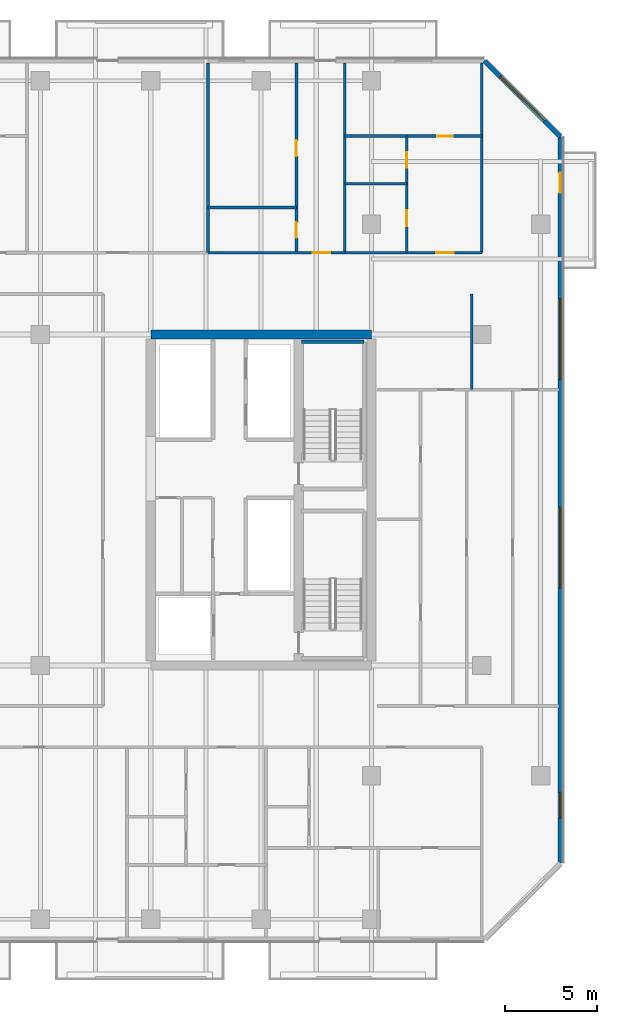
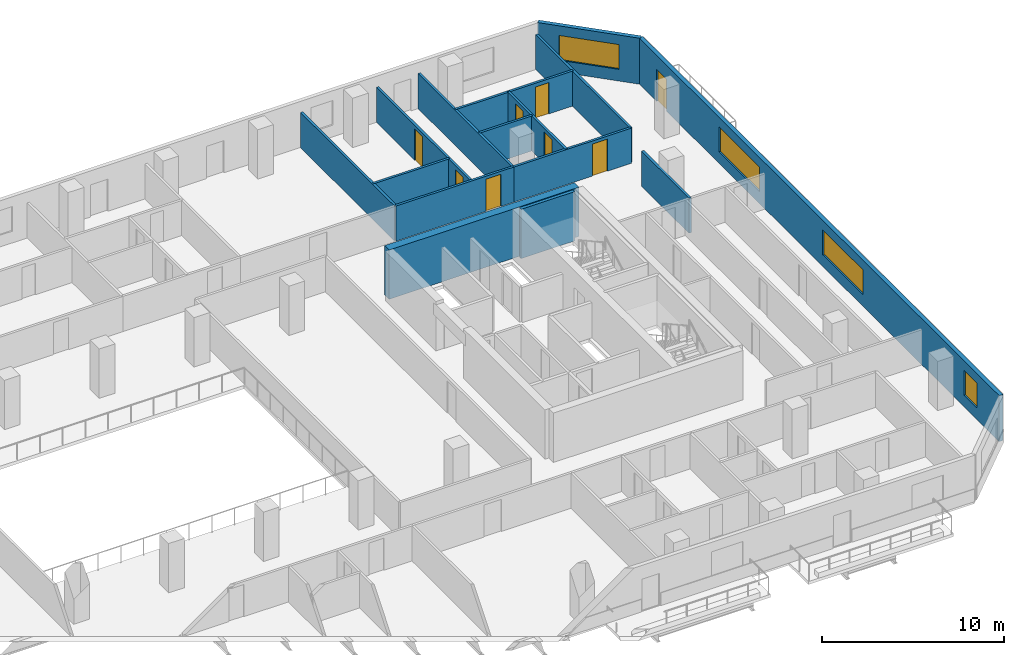
# One storey, part 16 of 23: 15 walls, 8 doors, 4 windows, 12 openings.
"""IFC4 building model written with IfcOpenShell, lengths in metres."""

from ifc_helpers import new_model, si_unit, direction, frame, frame_2d, origin, place, context, subcontext, project, spatial, rectangle, extrude, material, layer, layer_set, type_object, element, fill, save


model = new_model("IFC4")

# Units and contexts
model_context = context("Model", 3, precision=1e-05, world=origin(), true_north=direction((0.0, 1.0)))
body_context = subcontext(model_context, "Body", "Model", "MODEL_VIEW")
ifc_project = project(units=[si_unit("LENGTHUNIT", "METRE"), si_unit("AREAUNIT", "SQUARE_METRE"), si_unit("VOLUMEUNIT", "CUBIC_METRE"), si_unit("PLANEANGLEUNIT", "RADIAN"), si_unit("MASSUNIT", "GRAM", prefix="KILO")], contexts=[model_context])

# Site, building, storey
site_placement = place(None, origin())
site = spatial("IfcSite", under=ifc_project, at=site_placement, CompositionType="ELEMENT")
building_placement = place(site_placement, origin())
building = spatial("IfcBuilding", under=site, at=building_placement, Name="Tanjung Sevakor Pilgrim Tower", CompositionType="ELEMENT")
storey_placement = place(building_placement, frame((0.0, 0.0, 82.169921875)))
storey = spatial("IfcBuildingStorey", under=building, at=storey_placement, Name="L22", CompositionType="ELEMENT", Elevation=82.169921875)

# Walls
ifc_material_1 = material(Name="Concrete C60/75", Category="concrete")
ifc_layer_1 = layer(ifc_material_1, 0.5)
ifc_layer_set_1 = layer_set([ifc_layer_1], Name="WALL-CW-500")
wall_type_1 = type_object("IfcWallType", Name="WALL-CW-500", PredefinedType="SHEAR", material=ifc_layer_set_1)
wall_1_placement = place(storey_placement, frame((90.0, 42.60009765625, 0.0), z_axis=(0.0, 0.0, 1.0), x_axis=(-1.0, 0.0, 0.0)))
element("IfcWall", 1, at=wall_1_placement, inside=storey, type_object=wall_type_1, Name="L22 E Core North Shear Wall", PredefinedType="SHEAR", context=body_context, shape_type="SweptSolid", body=[
    extrude(rectangle(XDim=12.0, YDim=0.5, at=frame_2d((6.0, 0.0))), origin(), (0.0, 0.0, 1.0), 3.300048828125),
])
ifc_material_2 = material(Name="Concrete C40/50", Category="concrete")
ifc_layer_2 = layer(ifc_material_2, 0.14990234375)
ifc_layer_set_2 = layer_set([ifc_layer_2], Name="WT-COMP-150")
wall_type_2 = type_object("IfcWallType", Name="WT-COMP-150", PredefinedType="SOLIDWALL", material=ifc_layer_set_2)
for number, where, z_axis, x_axis, name in (
    (2, (96.0, 47.050048828125, 0.0), (0.0, 0.0, 1.0), (0.0, 1.0, 0.0), "L22 Partition IW-L22-090"),
    (3, (81.107421875, 47.050048828125, 0.0), (0.0, 0.0, 1.0), (0.0, 1.0, 0.0), "L22 Partition IW-L22-102"),
    (4, (88.5537109375, 47.050048828125, 0.0), (0.0, 0.0, 1.0), (0.0, 1.0, 0.0), "L22 Partition IW-L22-104"),
):
    element("IfcWall", number, at=place(storey_placement, frame(where, z_axis=z_axis, x_axis=x_axis)), inside=storey, type_object=wall_type_2, Name=name, PredefinedType="SOLIDWALL", context=body_context, shape_type="SweptSolid", body=[
        extrude(rectangle(XDim=10.300048828125, YDim=0.14990234375, at=frame_2d((5.14990234375, 0.0))), origin(), (0.0, 0.0, 1.0), 2.35009765625),
    ])

# Wall, opening, door
wall_2_placement = place(storey_placement, frame((81.107421875, 47.050048828125, 0.0), z_axis=(0.0, 0.0, 1.0), x_axis=(1.0, 0.0, 0.0)))
wall_2 = element("IfcWall", 5, at=wall_2_placement, inside=storey, type_object=wall_type_2, Name="L22 Partition IW-L22-107", PredefinedType="SOLIDWALL", context=body_context, shape_type="SweptSolid", body=[
    extrude(rectangle(XDim=7.4462890625, YDim=0.14990234375, at=frame_2d((3.72314453125, 0.0))), origin(), (0.0, 0.0, 1.0), 2.35009765625),
])
opening_1_placement = place(wall_2_placement, frame((5.6943359375, 0.0, 0.0)))
opening_1 = element("IfcOpeningElement", 6, at=opening_1_placement, cuts=wall_2, Name="Opening ID-FD2", PredefinedType="OPENING", context=body_context, shape_type="SweptSolid", body=[
    extrude(rectangle(XDim=0.949951171875, YDim=2.14990234375, at=frame_2d((0.47509765625, 1.074951171875))), frame((0.0, 0.0849609375, 0.0), z_axis=(0.0, -1.0, 0.0), x_axis=(1.0, 0.0, 0.0)), (0.0, 0.0, 1.0), 0.169921875),
])
ifc_material_3 = material(Name="Fire-Rated Timber", Category="wood")
door_type_1 = type_object("IfcDoorType", Name="DT-FIRE-950", OperationType="NOTDEFINED", PredefinedType="DOOR", material=ifc_material_3)
door_1_placement = place(opening_1_placement, origin())
door_1 = element("IfcDoor", 7, at=door_1_placement, inside=storey, type_object=door_type_1, Name="Hostel Quad Entrance", OperationType="SINGLE_SWING_RIGHT", OverallHeight=2.14990234375, OverallWidth=0.949951171875, PredefinedType="DOOR", context=body_context, shape_type="SweptSolid", body=[
    extrude(rectangle(XDim=0.949951171875, YDim=2.14990234375, at=frame_2d((0.47509765625, 1.074951171875))), frame((0.0, 0.02490234375, 0.0), z_axis=(0.0, -1.0, 0.0), x_axis=(1.0, 0.0, 0.0)), (0.0, 0.0, 1.0), 0.050048828125),
])
fill(opening_1, door_1)

wall_3_placement = place(storey_placement, frame((88.5537109375, 47.050048828125, 0.0), z_axis=(0.0, 0.0, 1.0), x_axis=(1.0, 0.0, 0.0)))
wall_3 = element("IfcWall", 8, at=wall_3_placement, inside=storey, type_object=wall_type_2, Name="L22 Partition IW-L22-111", PredefinedType="SOLIDWALL", context=body_context, shape_type="SweptSolid", body=[
    extrude(rectangle(XDim=7.4462890625, YDim=0.14990234375, at=frame_2d((3.72314453125, 0.0))), origin(), (0.0, 0.0, 1.0), 2.35009765625),
])
opening_2_placement = place(wall_3_placement, frame((4.97119140625, 0.0, 0.0)))
opening_2 = element("IfcOpeningElement", 9, at=opening_2_placement, cuts=wall_3, Name="Opening ID-FD2", PredefinedType="OPENING", context=body_context, shape_type="SweptSolid", body=[
    extrude(rectangle(XDim=0.949951171875, YDim=2.14990234375, at=frame_2d((0.47509765625, 1.074951171875))), frame((0.0, 0.0849609375, 0.0), z_axis=(0.0, -1.0, 0.0), x_axis=(1.0, 0.0, 0.0)), (0.0, 0.0, 1.0), 0.169921875),
])
door_2_placement = place(opening_2_placement, origin())
door_2 = element("IfcDoor", 10, at=door_2_placement, inside=storey, type_object=door_type_1, Name="Residence Entrance", OperationType="SINGLE_SWING_RIGHT", OverallHeight=2.14990234375, OverallWidth=0.949951171875, PredefinedType="DOOR", context=body_context, shape_type="SweptSolid", body=[
    extrude(rectangle(XDim=0.949951171875, YDim=2.14990234375, at=frame_2d((0.47509765625, 1.074951171875))), frame((0.0, 0.02490234375, 0.0), z_axis=(0.0, -1.0, 0.0), x_axis=(1.0, 0.0, 0.0)), (0.0, 0.0, 1.0), 0.050048828125),
])
fill(opening_2, door_2)

# Wall, openings, door, windows
ifc_material_4 = material(Name="Precast concrete C45/55", Category="concrete")
ifc_layer_3 = layer(ifc_material_4, 0.25)
ifc_layer_set_3 = layer_set([ifc_layer_3], Name="WT-EW-STN3")
wall_type_3 = type_object("IfcWallType", Name="WT-EW-STN3", PredefinedType="SOLIDWALL", material=ifc_layer_set_3)
wall_4_placement = place(storey_placement, frame((100.27490234375, 13.851806640625, 0.0), z_axis=(0.0, 0.0, 1.0), x_axis=(0.0, 1.0, 0.0)))
wall_4 = element("IfcWall", 11, at=wall_4_placement, inside=storey, type_object=wall_type_3, Name="L22 MAIN Exterior Wall 7", PredefinedType="SOLIDWALL", context=body_context, shape_type="SweptSolid", body=[
    extrude(rectangle(XDim=39.496337890625, YDim=0.25, at=frame_2d((19.748046875, 0.0))), origin(), (0.0, 0.0, 1.0), 3.080078125),
])
opening_3_placement = place(wall_4_placement, frame((36.4482421875, 0.0, 0.0)))
opening_3 = element("IfcOpeningElement", 12, at=opening_3_placement, cuts=wall_4, Name="Opening ED-BAL-1100", PredefinedType="OPENING", context=body_context, shape_type="SweptSolid", body=[
    extrude(rectangle(XDim=1.10009765625, YDim=2.14990234375, at=frame_2d((0.550048828125, 1.074951171875))), frame((0.0, 0.135009765625, 0.0), z_axis=(0.0, -1.0, 0.0), x_axis=(1.0, 0.0, 0.0)), (0.0, 0.0, 1.0), 0.27001953125),
])
opening_4_placement = place(wall_4_placement, frame((14.958251953125, 0.0, 0.780029296875)))
opening_4 = element("IfcOpeningElement", 13, at=opening_4_placement, cuts=wall_4, Name="Opening WN-ENDW-1660", PredefinedType="OPENING", context=body_context, shape_type="SweptSolid", body=[
    extrude(rectangle(XDim=4.39990234375, YDim=1.659912109375, at=frame_2d((2.199951171875, 0.830078125))), frame((0.0, 0.135009765625, 0.0), z_axis=(0.0, -1.0, 0.0), x_axis=(1.0, 0.0, 0.0)), (0.0, 0.0, 1.0), 0.27001953125),
])
opening_5_placement = place(wall_4_placement, frame((26.298095703125, 0.0, 0.780029296875)))
opening_5 = element("IfcOpeningElement", 14, at=opening_5_placement, cuts=wall_4, Name="Opening WN-ENDW-1660", PredefinedType="OPENING", context=body_context, shape_type="SweptSolid", body=[
    extrude(rectangle(XDim=4.39990234375, YDim=1.659912109375, at=frame_2d((2.199951171875, 0.830078125))), frame((0.0, 0.135009765625, 0.0), z_axis=(0.0, -1.0, 0.0), x_axis=(1.0, 0.0, 0.0)), (0.0, 0.0, 1.0), 0.27001953125),
])
opening_6_placement = place(wall_4_placement, frame((2.4541015625, 0.0, 0.780029296875)))
opening_6 = element("IfcOpeningElement", 15, at=opening_6_placement, cuts=wall_4, Name="Opening WN-END", PredefinedType="OPENING", context=body_context, shape_type="SweptSolid", body=[
    extrude(rectangle(XDim=1.39990234375, YDim=1.64990234375, at=frame_2d((0.699951171875, 0.824951171875))), frame((0.0, 0.135009765625, 0.0), z_axis=(0.0, -1.0, 0.0), x_axis=(1.0, 0.0, 0.0)), (0.0, 0.0, 1.0), 0.27001953125),
])
ifc_material_5 = material(Name="Anodised Aluminium and Laminated Glass", Category="aluminium")
door_type_2 = type_object("IfcDoorType", Name="DTYP-ED-BAL-1100", OperationType="NOTDEFINED", PredefinedType="DOOR", material=ifc_material_5)
door_3_placement = place(opening_3_placement, frame((1.10009765625, 0.0, 0.0), z_axis=(0.0, 0.0, 1.0), x_axis=(-1.0, 0.0, 0.0)))
door_3 = element("IfcDoor", 16, at=door_3_placement, inside=storey, type_object=door_type_2, Name="L22 East Loggia Door MAIN-E1", OperationType="SINGLE_SWING_RIGHT", OverallHeight=2.14990234375, OverallWidth=1.10009765625, PredefinedType="DOOR", context=body_context, shape_type="SweptSolid", body=[
    extrude(rectangle(XDim=1.10009765625, YDim=2.14990234375, at=frame_2d((0.550048828125, 1.074951171875))), frame((0.0, 0.02490234375, 0.0), z_axis=(0.0, -1.0, 0.0), x_axis=(1.0, 0.0, 0.0)), (0.0, 0.0, 1.0), 0.050048828125),
])
fill(opening_3, door_3)
ifc_material_6 = material(Name="Thermally Broken Aluminium and Low-E Glass", Category="aluminium")
window_type_1 = type_object("IfcWindowType", Name="WTYP-WN-END", PartitioningType="SINGLE_PANEL", PredefinedType="WINDOW", material=ifc_material_6)
window_1_placement = place(opening_6_placement, origin())
window_1 = element("IfcWindow", 17, at=window_1_placement, inside=storey, type_object=window_type_1, Name="L22 Facade Window 03", OverallHeight=1.64990234375, OverallWidth=1.39990234375, PartitioningType="SINGLE_PANEL", PredefinedType="WINDOW", context=body_context, shape_type="SweptSolid", body=[
    extrude(rectangle(XDim=1.39990234375, YDim=1.64990234375, at=frame_2d((0.699951171875, 0.824951171875))), frame((0.0, 0.030029296875, 0.0), z_axis=(0.0, -1.0, 0.0), x_axis=(1.0, 0.0, 0.0)), (0.0, 0.0, 1.0), 0.06005859375),
])
fill(opening_6, window_1)
ifc_material_7 = material(Name="Thermally Broken Aluminium and Low-E Glass", Category="aluminium")
window_type_2 = type_object("IfcWindowType", Name="WTYP-WN-ENDW-1660", PartitioningType="DOUBLE_PANEL_VERTICAL", PredefinedType="WINDOW", material=ifc_material_7)
window_2_placement = place(opening_4_placement, origin())
window_2 = element("IfcWindow", 18, at=window_2_placement, inside=storey, type_object=window_type_2, Name="L22 Facade Window 01", OverallHeight=1.659912109375, OverallWidth=4.39990234375, PartitioningType="SINGLE_PANEL", PredefinedType="WINDOW", context=body_context, shape_type="SweptSolid", body=[
    extrude(rectangle(XDim=4.39990234375, YDim=1.659912109375, at=frame_2d((2.199951171875, 0.830078125))), frame((0.0, 0.030029296875, 0.0), z_axis=(0.0, -1.0, 0.0), x_axis=(1.0, 0.0, 0.0)), (0.0, 0.0, 1.0), 0.06005859375),
])
fill(opening_4, window_2)
window_3_placement = place(opening_5_placement, origin())
window_3 = element("IfcWindow", 19, at=window_3_placement, inside=storey, type_object=window_type_2, Name="L22 Facade Window 02", OverallHeight=1.659912109375, OverallWidth=4.39990234375, PartitioningType="SINGLE_PANEL", PredefinedType="WINDOW", context=body_context, shape_type="SweptSolid", body=[
    extrude(rectangle(XDim=4.39990234375, YDim=1.659912109375, at=frame_2d((2.199951171875, 0.830078125))), frame((0.0, 0.030029296875, 0.0), z_axis=(0.0, -1.0, 0.0), x_axis=(1.0, 0.0, 0.0)), (0.0, 0.0, 1.0), 0.06005859375),
])
fill(opening_5, window_3)

# Wall, opening, window
wall_5_placement = place(storey_placement, frame((100.27490234375, 53.34814453125, 0.0), z_axis=(0.0, 0.0, 1.0), x_axis=(-0.70708586489, 0.707127696864, 0.0)))
wall_5 = element("IfcWall", 20, at=wall_5_placement, inside=storey, type_object=wall_type_3, Name="L22 MAIN Sculpted Corner Wall 7", PredefinedType="SOLIDWALL", context=body_context, shape_type="SweptSolid", body=[
    extrude(rectangle(XDim=5.836181640625, YDim=0.25, at=frame_2d((2.91796875, 0.0))), origin(), (0.0, 0.0, 1.0), 3.080078125),
])
opening_7_placement = place(wall_5_placement, frame((1.218017578125, 0.0, 0.780029296875)))
opening_7 = element("IfcOpeningElement", 21, at=opening_7_placement, cuts=wall_5, Name="Opening WN-CHM-1660", PredefinedType="OPENING", context=body_context, shape_type="SweptSolid", body=[
    extrude(rectangle(XDim=3.39990234375, YDim=1.659912109375, at=frame_2d((1.699951171875, 0.830078125))), frame((0.0, 0.135009765625, 0.0), z_axis=(0.0, -1.0, 0.0), x_axis=(1.0, 0.0, 0.0)), (0.0, 0.0, 1.0), 0.27001953125),
])
ifc_material_8 = material(Name="Thermally Broken Aluminium and Low-E Glass", Category="aluminium")
window_type_3 = type_object("IfcWindowType", Name="WTYP-WN-CHM-1660", PartitioningType="DOUBLE_PANEL_VERTICAL", PredefinedType="WINDOW", material=ifc_material_8)
window_4_placement = place(opening_7_placement, origin())
window_4 = element("IfcWindow", 22, at=window_4_placement, inside=storey, type_object=window_type_3, Name="L22 Facade Window 01", OverallHeight=1.659912109375, OverallWidth=3.39990234375, PartitioningType="SINGLE_PANEL", PredefinedType="WINDOW", context=body_context, shape_type="SweptSolid", body=[
    extrude(rectangle(XDim=3.39990234375, YDim=1.659912109375, at=frame_2d((1.699951171875, 0.830078125))), frame((0.0, 0.030029296875, 0.0), z_axis=(0.0, -1.0, 0.0), x_axis=(1.0, 0.0, 0.0)), (0.0, 0.0, 1.0), 0.06005859375),
])
fill(opening_7, window_4)

# Walls
ifc_material_9 = material(Name="Concrete C40/50", Category="concrete")
ifc_layer_4 = layer(ifc_material_9, 0.199951171875)
ifc_layer_set_4 = layer_set([ifc_layer_4], Name="WT-FIRE-200")
wall_type_4 = type_object("IfcWallType", Name="WT-FIRE-200", PredefinedType="SOLIDWALL", material=ifc_layer_set_4)
wall_6_placement = place(storey_placement, frame((89.60009765625, 42.199951171875, 0.0), z_axis=(0.0, 0.0, 1.0), x_axis=(-1.0, 0.0, 0.0)))
element("IfcWall", 23, at=wall_6_placement, inside=storey, type_object=wall_type_4, Name="L22 TS-E2 Shaft Wall 3", PredefinedType="SOLIDWALL", context=body_context, shape_type="SweptSolid", body=[
    extrude(rectangle(XDim=3.400146484375, YDim=0.199951171875, at=frame_2d((1.7001953125, 0.0))), origin(), (0.0, 0.0, 1.0), 3.300048828125),
])
ifc_material_10 = material(Name="Gypsum Board Partition", Category="gypsum board")
ifc_layer_5 = layer(ifc_material_10, 0.14990234375)
ifc_layer_set_5 = layer_set([ifc_layer_5], Name="WT-PART-150")
wall_type_5 = type_object("IfcWallType", Name="WT-PART-150", PredefinedType="PARTITIONING", material=ifc_layer_set_5)
wall_7_placement = place(storey_placement, frame((95.452392578125, 39.60009765625, 0.0), z_axis=(0.0, 0.0, 1.0), x_axis=(0.0, 1.0, 0.0)))
element("IfcWall", 24, at=wall_7_placement, inside=storey, type_object=wall_type_5, Name="L22 Partition IW-L22-038", PredefinedType="PARTITIONING", context=body_context, shape_type="SweptSolid", body=[
    extrude(rectangle(XDim=5.199951171875, YDim=0.14990234375, at=frame_2d((2.60009765625, 0.0))), origin(), (0.0, 0.0, 1.0), 2.35009765625),
])
wall_8_placement = place(storey_placement, frame((81.107421875, 49.5, 0.0), z_axis=(0.0, 0.0, 1.0), x_axis=(1.0, 0.0, 0.0)))
element("IfcWall", 25, at=wall_8_placement, inside=storey, type_object=wall_type_5, Name="L22 Partition IW-L22-105", PredefinedType="PARTITIONING", context=body_context, shape_type="SweptSolid", body=[
    extrude(rectangle(XDim=4.8125, YDim=0.14990234375, at=frame_2d((2.40625, 0.0))), origin(), (0.0, 0.0, 1.0), 2.35009765625),
])

# Wall, openings, doors
wall_9_placement = place(storey_placement, frame((85.919921875, 47.050048828125, 0.0), z_axis=(0.0, 0.0, 1.0), x_axis=(0.0, 1.0, 0.0)))
wall_9 = element("IfcWall", 26, at=wall_9_placement, inside=storey, type_object=wall_type_5, Name="L22 Partition IW-L22-106", PredefinedType="PARTITIONING", context=body_context, shape_type="SweptSolid", body=[
    extrude(rectangle(XDim=10.300048828125, YDim=0.14990234375, at=frame_2d((5.14990234375, 0.0))), origin(), (0.0, 0.0, 1.0), 2.35009765625),
])
opening_8_placement = place(wall_9_placement, frame((0.800048828125, 0.0, 0.0)))
opening_8 = element("IfcOpeningElement", 27, at=opening_8_placement, cuts=wall_9, Name="Opening ID-WC1", PredefinedType="OPENING", context=body_context, shape_type="SweptSolid", body=[
    extrude(rectangle(XDim=0.85009765625, YDim=2.10009765625, at=frame_2d((0.425048828125, 1.050048828125))), frame((0.0, 0.0849609375, 0.0), z_axis=(0.0, -1.0, 0.0), x_axis=(1.0, 0.0, 0.0)), (0.0, 0.0, 1.0), 0.169921875),
])
opening_9_placement = place(wall_9_placement, frame((5.25, 0.0, 0.0)))
opening_9 = element("IfcOpeningElement", 28, at=opening_9_placement, cuts=wall_9, Name="Opening ID-WC1", PredefinedType="OPENING", context=body_context, shape_type="SweptSolid", body=[
    extrude(rectangle(XDim=0.85009765625, YDim=2.10009765625, at=frame_2d((0.425048828125, 1.050048828125))), frame((0.0, 0.0849609375, 0.0), z_axis=(0.0, -1.0, 0.0), x_axis=(1.0, 0.0, 0.0)), (0.0, 0.0, 1.0), 0.169921875),
])
ifc_material_11 = material(Name="Moisture-Resistant Timber", Category="wood")
door_type_3 = type_object("IfcDoorType", Name="DT-INT-850", OperationType="NOTDEFINED", PredefinedType="DOOR", material=ifc_material_11)
door_4_placement = place(opening_8_placement, origin())
door_4 = element("IfcDoor", 29, at=door_4_placement, inside=storey, type_object=door_type_3, Name="Bathroom Door", OperationType="SINGLE_SWING_RIGHT", OverallHeight=2.10009765625, OverallWidth=0.85009765625, PredefinedType="DOOR", context=body_context, shape_type="SweptSolid", body=[
    extrude(rectangle(XDim=0.85009765625, YDim=2.10009765625, at=frame_2d((0.425048828125, 1.050048828125))), frame((0.0, 0.02490234375, 0.0), z_axis=(0.0, -1.0, 0.0), x_axis=(1.0, 0.0, 0.0)), (0.0, 0.0, 1.0), 0.050048828125),
])
fill(opening_8, door_4)
door_5_placement = place(opening_9_placement, origin())
door_5 = element("IfcDoor", 30, at=door_5_placement, inside=storey, type_object=door_type_3, Name="Study Nook Door", OperationType="SINGLE_SWING_LEFT", OverallHeight=2.10009765625, OverallWidth=0.85009765625, PredefinedType="DOOR", context=body_context, shape_type="SweptSolid", body=[
    extrude(rectangle(XDim=0.85009765625, YDim=2.10009765625, at=frame_2d((0.425048828125, 1.050048828125))), frame((0.0, 0.02490234375, 0.0), z_axis=(0.0, -1.0, 0.0), x_axis=(1.0, 0.0, 0.0)), (0.0, 0.0, 1.0), 0.050048828125),
])
fill(opening_9, door_5)

# Wall
wall_10_placement = place(storey_placement, frame((88.5537109375, 50.78955078125, 0.0), z_axis=(0.0, 0.0, 1.0), x_axis=(1.0, 0.0, 0.0)))
element("IfcWall", 31, at=wall_10_placement, inside=storey, type_object=wall_type_5, Name="L22 Partition IW-L22-108", PredefinedType="PARTITIONING", context=body_context, shape_type="SweptSolid", body=[
    extrude(rectangle(XDim=3.3662109375, YDim=0.14990234375, at=frame_2d((1.68310546875, 0.0))), origin(), (0.0, 0.0, 1.0), 2.35009765625),
])

# Wall, openings, doors
wall_11_placement = place(storey_placement, frame((91.919921875, 47.050048828125, 0.0), z_axis=(0.0, 0.0, 1.0), x_axis=(0.0, 1.0, 0.0)))
wall_11 = element("IfcWall", 32, at=wall_11_placement, inside=storey, type_object=wall_type_5, Name="L22 Partition IW-L22-109", PredefinedType="PARTITIONING", context=body_context, shape_type="SweptSolid", body=[
    extrude(rectangle(XDim=6.338134765625, YDim=0.14990234375, at=frame_2d((3.1689453125, 0.0))), origin(), (0.0, 0.0, 1.0), 2.35009765625),
])
opening_10_placement = place(wall_11_placement, frame((1.44482421875, 0.0, 0.0)))
opening_10 = element("IfcOpeningElement", 33, at=opening_10_placement, cuts=wall_11, Name="Opening ID-WC1", PredefinedType="OPENING", context=body_context, shape_type="SweptSolid", body=[
    extrude(rectangle(XDim=0.85009765625, YDim=2.10009765625, at=frame_2d((0.425048828125, 1.050048828125))), frame((0.0, 0.0849609375, 0.0), z_axis=(0.0, -1.0, 0.0), x_axis=(1.0, 0.0, 0.0)), (0.0, 0.0, 1.0), 0.169921875),
])
opening_11_placement = place(wall_11_placement, frame((4.614013671875, 0.0, 0.0)))
opening_11 = element("IfcOpeningElement", 34, at=opening_11_placement, cuts=wall_11, Name="Opening ID-WC1", PredefinedType="OPENING", context=body_context, shape_type="SweptSolid", body=[
    extrude(rectangle(XDim=0.85009765625, YDim=2.10009765625, at=frame_2d((0.425048828125, 1.050048828125))), frame((0.0, 0.0849609375, 0.0), z_axis=(0.0, -1.0, 0.0), x_axis=(1.0, 0.0, 0.0)), (0.0, 0.0, 1.0), 0.169921875),
])
door_6_placement = place(opening_10_placement, origin())
door_6 = element("IfcDoor", 35, at=door_6_placement, inside=storey, type_object=door_type_3, Name="Residence Kitchenette Door", OperationType="SINGLE_SWING_LEFT", OverallHeight=2.10009765625, OverallWidth=0.85009765625, PredefinedType="DOOR", context=body_context, shape_type="SweptSolid", body=[
    extrude(rectangle(XDim=0.85009765625, YDim=2.10009765625, at=frame_2d((0.425048828125, 1.050048828125))), frame((0.0, 0.02490234375, 0.0), z_axis=(0.0, -1.0, 0.0), x_axis=(1.0, 0.0, 0.0)), (0.0, 0.0, 1.0), 0.050048828125),
])
fill(opening_10, door_6)
door_7_placement = place(opening_11_placement, origin())
door_7 = element("IfcDoor", 36, at=door_7_placement, inside=storey, type_object=door_type_3, Name="Residence Bathroom Door", OperationType="SINGLE_SWING_RIGHT", OverallHeight=2.10009765625, OverallWidth=0.85009765625, PredefinedType="DOOR", context=body_context, shape_type="SweptSolid", body=[
    extrude(rectangle(XDim=0.85009765625, YDim=2.10009765625, at=frame_2d((0.425048828125, 1.050048828125))), frame((0.0, 0.02490234375, 0.0), z_axis=(0.0, -1.0, 0.0), x_axis=(1.0, 0.0, 0.0)), (0.0, 0.0, 1.0), 0.050048828125),
])
fill(opening_11, door_7)

# Wall, opening, door
wall_12_placement = place(storey_placement, frame((88.5537109375, 53.38818359375, 0.0), z_axis=(0.0, 0.0, 1.0), x_axis=(1.0, 0.0, 0.0)))
wall_12 = element("IfcWall", 37, at=wall_12_placement, inside=storey, type_object=wall_type_5, Name="L22 Partition IW-L22-110", PredefinedType="PARTITIONING", context=body_context, shape_type="SweptSolid", body=[
    extrude(rectangle(XDim=7.4462890625, YDim=0.14990234375, at=frame_2d((3.72314453125, 0.0))), origin(), (0.0, 0.0, 1.0), 2.35009765625),
])
opening_12_placement = place(wall_12_placement, frame((5.021240234375, 0.0, 0.0)))
opening_12 = element("IfcOpeningElement", 38, at=opening_12_placement, cuts=wall_12, Name="Opening ID-WC1", PredefinedType="OPENING", context=body_context, shape_type="SweptSolid", body=[
    extrude(rectangle(XDim=0.85009765625, YDim=2.10009765625, at=frame_2d((0.425048828125, 1.050048828125))), frame((0.0, 0.0849609375, 0.0), z_axis=(0.0, -1.0, 0.0), x_axis=(1.0, 0.0, 0.0)), (0.0, 0.0, 1.0), 0.169921875),
])
door_8_placement = place(opening_12_placement, origin())
door_8 = element("IfcDoor", 39, at=door_8_placement, inside=storey, type_object=door_type_3, Name="Residence Bedroom Door", OperationType="SINGLE_SWING_LEFT", OverallHeight=2.10009765625, OverallWidth=0.85009765625, PredefinedType="DOOR", context=body_context, shape_type="SweptSolid", body=[
    extrude(rectangle(XDim=0.85009765625, YDim=2.10009765625, at=frame_2d((0.425048828125, 1.050048828125))), frame((0.0, 0.02490234375, 0.0), z_axis=(0.0, -1.0, 0.0), x_axis=(1.0, 0.0, 0.0)), (0.0, 0.0, 1.0), 0.050048828125),
])
fill(opening_12, door_8)

save(model, "model.ifc")
